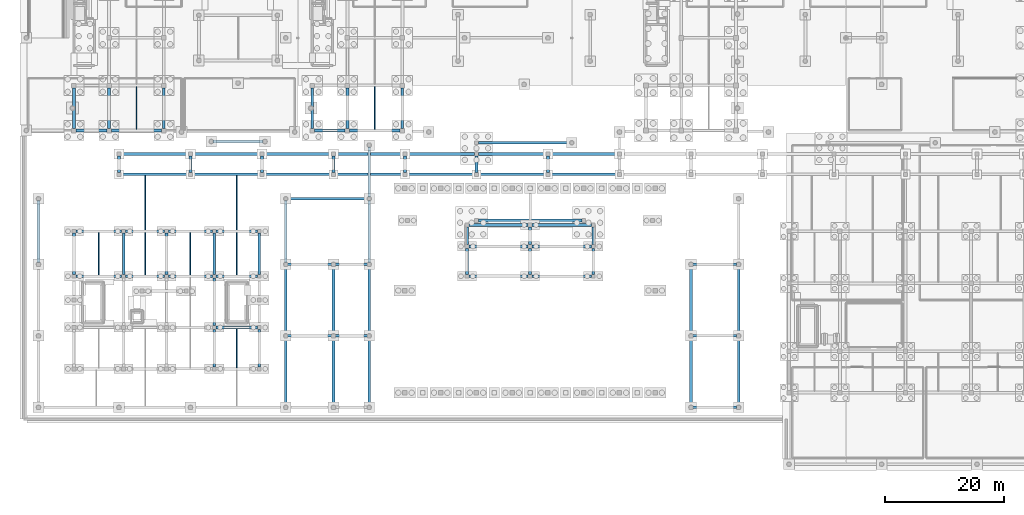
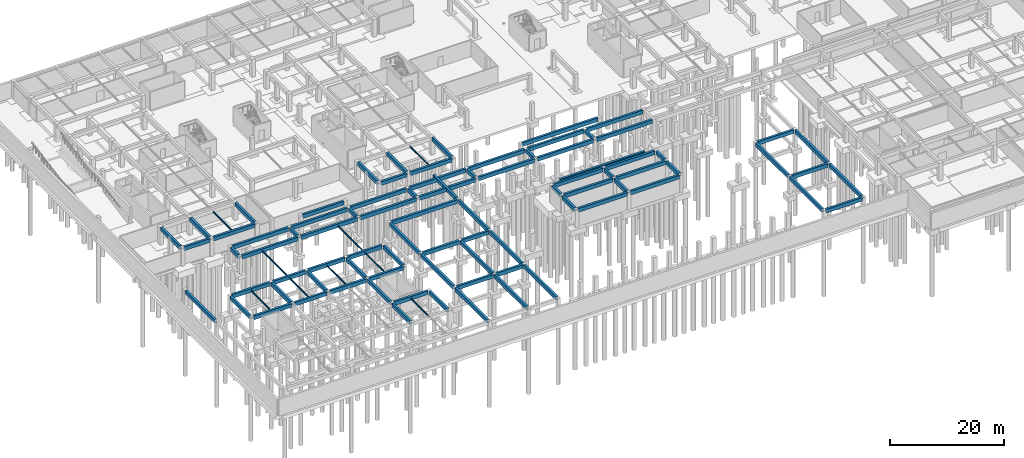
# One storey, part 14 of 35: 94 beams.
"""IFC4 building model written with IfcOpenShell, lengths in metres."""

from ifc_helpers import new_model, si_unit, direction, frame, origin, origin_2d, place, context, subcontext, project, spatial, rectangle, i_section, extrude, material, material_profile, profile_set, type_object, element, save


model = new_model("IFC4")

# Units and contexts
model_context = context("Model", 3, precision=1e-05, world=origin(), true_north=direction((0.0, 1.0)))
body_context = subcontext(model_context, "Body", "Model", "MODEL_VIEW")
ifc_project = project(units=[si_unit("LENGTHUNIT", "METRE"), si_unit("AREAUNIT", "SQUARE_METRE"), si_unit("VOLUMEUNIT", "CUBIC_METRE"), si_unit("PLANEANGLEUNIT", "RADIAN"), si_unit("MASSUNIT", "GRAM", prefix="KILO")], contexts=[model_context])

# Site, building, storey
site_placement = place(None, origin())
site = spatial("IfcSite", under=ifc_project, at=site_placement, CompositionType="ELEMENT")
building_placement = place(site_placement, origin())
building = spatial("IfcBuilding", under=site, at=building_placement, Name="Keldmere Railside Commons", CompositionType="ELEMENT")
storey_placement = place(building_placement, frame((0.0, 0.0, -3.840087890625)))
storey = spatial("IfcBuildingStorey", under=building, at=storey_placement, Name="B1", CompositionType="ELEMENT", Elevation=-3.840087890625)

# Beams
ifc_material_1 = material(Name="Concrete H-35 (C35/45)", Category="concrete")
ifc_material_profile_1 = material_profile(ifc_material_1, rectangle(XDim=0.449951171875, YDim=0.800048828125, at=origin_2d()), Name="RC-450x800")
ifc_profile_set_1 = profile_set([ifc_material_profile_1], Name="Concrete H-35 (C35/45)")
beam_type_1 = type_object("IfcBeamType", Name="Basement & Podium RC Girder 450x800", PredefinedType="BEAM", material=ifc_profile_set_1)
for number, where, z_axis, x_axis, name in (
    (1, (112.324951171875, 10.0, 3.440185546875), (1.0, 0.0, 0.0), (0.0, 1.0, 0.0), "BG-1 BM-B1-0014"),
    (2, (44.324951171875, 22.0, 3.440185546875), (1.0, 0.0, 0.0), (0.0, 1.0, 0.0), "BG-1 BM-B1-0029"),
):
    element("IfcBeam", number, at=place(storey_placement, frame(where, z_axis=z_axis, x_axis=x_axis)), inside=storey, type_object=beam_type_1, Name=name, PredefinedType="BEAM", context=body_context, shape_type="SweptSolid", body=[
        extrude(rectangle(XDim=0.449951171875, YDim=0.800048828125, at=origin_2d()), origin(), (0.0, 0.0, 1.0), 7.35009765625),
    ])
beam_1_placement = place(storey_placement, frame((52.324951171875, 22.0, 3.440185546875), z_axis=(1.0, 0.0, 0.0), x_axis=(0.0, 1.0, 0.0)))
element("IfcBeam", 3, at=beam_1_placement, inside=storey, type_object=beam_type_1, Name="BG-1 BM-B1-0030", PredefinedType="BEAM", context=body_context, shape_type="SweptSolid", body=[
    extrude(rectangle(XDim=0.449951171875, YDim=0.800048828125, at=origin_2d()), origin(), (0.0, 0.0, 1.0), 5.35009765625),
])
beam_2_placement = place(storey_placement, frame((112.324951171875, 22.0, 3.440185546875), z_axis=(1.0, 0.0, 0.0), x_axis=(0.0, 1.0, 0.0)))
element("IfcBeam", 4, at=beam_2_placement, inside=storey, type_object=beam_type_1, Name="BG-1 BM-B1-0031", PredefinedType="BEAM", context=body_context, shape_type="SweptSolid", body=[
    extrude(rectangle(XDim=0.449951171875, YDim=0.800048828125, at=origin_2d()), origin(), (0.0, 0.0, 1.0), 7.35009765625),
])
beam_3_placement = place(storey_placement, frame((32.324951171875, 23.39990234375, 3.440185546875), z_axis=(1.0, 0.0, 0.0), x_axis=(0.0, 1.0, 0.0)))
element("IfcBeam", 5, at=beam_3_placement, inside=storey, type_object=beam_type_1, Name="BG-1 BM-B1-0035", PredefinedType="BEAM", context=body_context, shape_type="SweptSolid", body=[
    extrude(rectangle(XDim=0.449951171875, YDim=0.800048828125, at=origin_2d()), origin(), (0.0, 0.0, 1.0), 6.900146484375),
])
beam_4_placement = place(storey_placement, frame((8.77490234375, 32.0, 3.440185546875), z_axis=(1.0, 0.0, 0.0), x_axis=(0.0, 1.0, 0.0)))
element("IfcBeam", 6, at=beam_4_placement, inside=storey, type_object=beam_type_1, Name="BG-1 BM-B1-0042", PredefinedType="BEAM", context=body_context, shape_type="SweptSolid", body=[
    extrude(rectangle(XDim=0.449951171875, YDim=0.800048828125, at=origin_2d()), origin(), (0.0, 0.0, 1.0), 7.7001953125),
])
beam_5_placement = place(storey_placement, frame((17.125, 32.0, 3.440185546875), z_axis=(1.0, 0.0, 0.0), x_axis=(0.0, 1.0, 0.0)))
element("IfcBeam", 7, at=beam_5_placement, inside=storey, type_object=beam_type_1, Name="BG-1 BM-B1-0043", PredefinedType="BEAM", context=body_context, shape_type="SweptSolid", body=[
    extrude(rectangle(XDim=0.449951171875, YDim=0.800048828125, at=origin_2d()), origin(), (0.0, 0.0, 1.0), 6.550048828125),
])
beam_6_placement = place(storey_placement, frame((24.324951171875, 32.0, 3.440185546875), z_axis=(1.0, 0.0, 0.0), x_axis=(0.0, 1.0, 0.0)))
element("IfcBeam", 8, at=beam_6_placement, inside=storey, type_object=beam_type_1, Name="BG-1 BM-B1-0044", PredefinedType="BEAM", context=body_context, shape_type="SweptSolid", body=[
    extrude(rectangle(XDim=0.449951171875, YDim=0.800048828125, at=origin_2d()), origin(), (0.0, 0.0, 1.0), 7.35009765625),
])
beam_7_placement = place(storey_placement, frame((32.324951171875, 32.0, 3.440185546875), z_axis=(1.0, 0.0, 0.0), x_axis=(0.0, 1.0, 0.0)))
element("IfcBeam", 9, at=beam_7_placement, inside=storey, type_object=beam_type_1, Name="BG-1 BM-B1-0045", PredefinedType="BEAM", context=body_context, shape_type="SweptSolid", body=[
    extrude(rectangle(XDim=0.449951171875, YDim=0.800048828125, at=origin_2d()), origin(), (0.0, 0.0, 1.0), 6.900146484375),
])
for number, where, z_axis, x_axis, name in (
    (10, (74.72509765625, 32.0, 3.440185546875), (1.0, 0.0, 0.0), (0.0, 1.0, 0.0), "BG-1 BM-B1-0046"),
    (11, (85.324951171875, 32.0, 3.440185546875), (1.0, 0.0, 0.0), (0.0, 1.0, 0.0), "BG-1 BM-B1-0047"),
):
    element("IfcBeam", number, at=place(storey_placement, frame(where, z_axis=z_axis, x_axis=x_axis)), inside=storey, type_object=beam_type_1, Name=name, PredefinedType="BEAM", context=body_context, shape_type="SweptSolid", body=[
        extrude(rectangle(XDim=0.449951171875, YDim=0.800048828125, at=origin_2d()), origin(), (0.0, 0.0, 1.0), 9.949951171875),
    ])
beam_8_placement = place(storey_placement, frame((44.324951171875, 34.0, 3.440185546875), z_axis=(1.0, 0.0, 0.0), x_axis=(0.0, 1.0, 0.0)))
element("IfcBeam", 12, at=beam_8_placement, inside=storey, type_object=beam_type_1, Name="BG-1 BM-B1-0048", PredefinedType="BEAM", context=body_context, shape_type="SweptSolid", body=[
    extrude(rectangle(XDim=0.449951171875, YDim=0.800048828125, at=origin_2d()), origin(), (0.0, 0.0, 1.0), 7.35009765625),
])
beam_9_placement = place(storey_placement, frame((52.324951171875, 34.0, 3.440185546875), z_axis=(1.0, 0.0, 0.0), x_axis=(0.0, 1.0, 0.0)))
element("IfcBeam", 13, at=beam_9_placement, inside=storey, type_object=beam_type_1, Name="BG-1 BM-B1-0049", PredefinedType="BEAM", context=body_context, shape_type="SweptSolid", body=[
    extrude(rectangle(XDim=0.449951171875, YDim=0.800048828125, at=origin_2d()), origin(), (0.0, 0.0, 1.0), 5.35009765625),
])
beam_10_placement = place(storey_placement, frame((112.324951171875, 34.0, 3.440185546875), z_axis=(1.0, 0.0, 0.0), x_axis=(0.0, 1.0, 0.0)))
element("IfcBeam", 14, at=beam_10_placement, inside=storey, type_object=beam_type_1, Name="BG-1 BM-B1-0050", PredefinedType="BEAM", context=body_context, shape_type="SweptSolid", body=[
    extrude(rectangle(XDim=0.449951171875, YDim=0.800048828125, at=origin_2d()), origin(), (0.0, 0.0, 1.0), 7.35009765625),
])
for number, where, z_axis, x_axis, name in (
    (15, (74.72509765625, 37.0, 3.440185546875), (1.0, 0.0, 0.0), (0.0, 1.0, 0.0), "BG-1 BM-B1-0051"),
    (16, (85.324951171875, 37.0, 3.440185546875), (1.0, 0.0, 0.0), (0.0, 1.0, 0.0), "BG-1 BM-B1-0052"),
):
    element("IfcBeam", number, at=place(storey_placement, frame(where, z_axis=z_axis, x_axis=x_axis)), inside=storey, type_object=beam_type_1, Name=name, PredefinedType="BEAM", context=body_context, shape_type="SweptSolid", body=[
        extrude(rectangle(XDim=0.449951171875, YDim=0.800048828125, at=origin_2d()), origin(), (0.0, 0.0, 1.0), 9.949951171875),
    ])
beam_11_placement = place(storey_placement, frame((8.77490234375, 39.550048828125, 3.440185546875), z_axis=(1.0, 0.0, 0.0), x_axis=(0.0, 1.0, 0.0)))
element("IfcBeam", 17, at=beam_11_placement, inside=storey, type_object=beam_type_1, Name="BG-1 BM-B1-0053", PredefinedType="BEAM", context=body_context, shape_type="SweptSolid", body=[
    extrude(rectangle(XDim=0.449951171875, YDim=0.800048828125, at=origin_2d()), origin(), (0.0, 0.0, 1.0), 7.7001953125),
])
beam_12_placement = place(storey_placement, frame((17.125, 39.550048828125, 3.440185546875), z_axis=(1.0, 0.0, 0.0), x_axis=(0.0, 1.0, 0.0)))
element("IfcBeam", 18, at=beam_12_placement, inside=storey, type_object=beam_type_1, Name="BG-1 BM-B1-0054", PredefinedType="BEAM", context=body_context, shape_type="SweptSolid", body=[
    extrude(rectangle(XDim=0.449951171875, YDim=0.800048828125, at=origin_2d()), origin(), (0.0, 0.0, 1.0), 6.550048828125),
])
beam_13_placement = place(storey_placement, frame((24.324951171875, 39.550048828125, 3.440185546875), z_axis=(1.0, 0.0, 0.0), x_axis=(0.0, 1.0, 0.0)))
element("IfcBeam", 19, at=beam_13_placement, inside=storey, type_object=beam_type_1, Name="BG-1 BM-B1-0055", PredefinedType="BEAM", context=body_context, shape_type="SweptSolid", body=[
    extrude(rectangle(XDim=0.449951171875, YDim=0.800048828125, at=origin_2d()), origin(), (0.0, 0.0, 1.0), 7.35009765625),
])
beam_14_placement = place(storey_placement, frame((32.324951171875, 39.550048828125, 3.440185546875), z_axis=(1.0, 0.0, 0.0), x_axis=(0.0, 1.0, 0.0)))
element("IfcBeam", 20, at=beam_14_placement, inside=storey, type_object=beam_type_1, Name="BG-1 BM-B1-0056", PredefinedType="BEAM", context=body_context, shape_type="SweptSolid", body=[
    extrude(rectangle(XDim=0.449951171875, YDim=0.800048828125, at=origin_2d()), origin(), (0.0, 0.0, 1.0), 6.900146484375),
])
for number, where, z_axis, x_axis, name in (
    (21, (74.72509765625, 40.60009765625, 3.440185546875), (1.0, 0.0, 0.0), (0.0, 1.0, 0.0), "BG-1 BM-B1-0062"),
    (22, (85.324951171875, 40.60009765625, 3.440185546875), (1.0, 0.0, 0.0), (0.0, 1.0, 0.0), "BG-1 BM-B1-0063"),
):
    element("IfcBeam", number, at=place(storey_placement, frame(where, z_axis=z_axis, x_axis=x_axis)), inside=storey, type_object=beam_type_1, Name=name, PredefinedType="BEAM", context=body_context, shape_type="SweptSolid", body=[
        extrude(rectangle(XDim=0.449951171875, YDim=0.800048828125, at=origin_2d()), origin(), (0.0, 0.0, 1.0), 9.949951171875),
    ])
beam_15_placement = place(storey_placement, frame((76.324951171875, 41.35009765625, 3.440185546875), z_axis=(1.0, 0.0, 0.0), x_axis=(0.0, 1.0, 0.0)))
element("IfcBeam", 23, at=beam_15_placement, inside=storey, type_object=beam_type_1, Name="BG-1 BM-B1-0064", PredefinedType="BEAM", context=body_context, shape_type="SweptSolid", body=[
    extrude(rectangle(XDim=0.449951171875, YDim=0.800048828125, at=origin_2d()), origin(), (0.0, 0.0, 1.0), 17.35009765625),
])
beam_16_placement = place(storey_placement, frame((44.324951171875, 45.0, 3.440185546875), z_axis=(1.0, 0.0, 0.0), x_axis=(0.0, 1.0, 0.0)))
element("IfcBeam", 24, at=beam_16_placement, inside=storey, type_object=beam_type_1, Name="BG-1 BM-B1-0065", PredefinedType="BEAM", context=body_context, shape_type="SweptSolid", body=[
    extrude(rectangle(XDim=0.449951171875, YDim=0.800048828125, at=origin_2d()), origin(), (0.0, 0.0, 1.0), 13.35009765625),
])
for number, where, z_axis, x_axis, name in (
    (25, (16.324951171875, 49.10009765625, 3.440185546875), (1.0, 0.0, 0.0), (0.0, 1.0, 0.0), "BG-1 BM-B1-0066"),
    (26, (28.324951171875, 49.10009765625, 3.440185546875), (1.0, 0.0, 0.0), (0.0, 1.0, 0.0), "BG-1 BM-B1-0067"),
    (27, (40.324951171875, 49.10009765625, 3.440185546875), (1.0, 0.0, 0.0), (0.0, 1.0, 0.0), "BG-1 BM-B1-0068"),
    (28, (52.324951171875, 49.10009765625, 3.440185546875), (1.0, 0.0, 0.0), (0.0, 1.0, 0.0), "BG-1 BM-B1-0069"),
    (29, (64.324951171875, 49.10009765625, 3.440185546875), (1.0, 0.0, 0.0), (0.0, 1.0, 0.0), "BG-1 BM-B1-0070"),
    (30, (76.324951171875, 49.10009765625, 3.440185546875), (1.0, 0.0, 0.0), (0.0, 1.0, 0.0), "BG-1 BM-B1-0071"),
    (31, (88.324951171875, 49.10009765625, 3.440185546875), (1.0, 0.0, 0.0), (0.0, 1.0, 0.0), "BG-1 BM-B1-0072"),
    (32, (16.324951171875, 52.5, 3.440185546875), (1.0, 0.0, 0.0), (0.0, 1.0, 0.0), "BG-1 BM-B1-0079"),
    (33, (28.324951171875, 52.5, 3.440185546875), (1.0, 0.0, 0.0), (0.0, 1.0, 0.0), "BG-1 BM-B1-0080"),
    (34, (40.324951171875, 52.5, 3.440185546875), (1.0, 0.0, 0.0), (0.0, 1.0, 0.0), "BG-1 BM-B1-0081"),
    (35, (52.324951171875, 52.5, 3.440185546875), (1.0, 0.0, 0.0), (0.0, 1.0, 0.0), "BG-1 BM-B1-0082"),
    (36, (64.324951171875, 52.5, 3.440185546875), (1.0, 0.0, 0.0), (0.0, 1.0, 0.0), "BG-1 BM-B1-0083"),
    (37, (76.324951171875, 52.5, 3.440185546875), (1.0, 0.0, 0.0), (0.0, 1.0, 0.0), "BG-1 BM-B1-0084"),
    (38, (88.324951171875, 52.5, 3.440185546875), (1.0, 0.0, 0.0), (0.0, 1.0, 0.0), "BG-1 BM-B1-0085"),
):
    element("IfcBeam", number, at=place(storey_placement, frame(where, z_axis=z_axis, x_axis=x_axis)), inside=storey, type_object=beam_type_1, Name=name, PredefinedType="BEAM", context=body_context, shape_type="SweptSolid", body=[
        extrude(rectangle(XDim=0.449951171875, YDim=0.800048828125, at=origin_2d()), origin(), (0.0, 0.0, 1.0), 11.35009765625),
    ])
beam_17_placement = place(storey_placement, frame((76.324951171875, 54.39990234375, 3.440185546875), z_axis=(1.0, 0.0, 0.0), x_axis=(0.0, 1.0, 0.0)))
element("IfcBeam", 39, at=beam_17_placement, inside=storey, type_object=beam_type_1, Name="BG-1 BM-B1-0092", PredefinedType="BEAM", context=body_context, shape_type="SweptSolid", body=[
    extrude(rectangle(XDim=0.449951171875, YDim=0.800048828125, at=origin_2d()), origin(), (0.0, 0.0, 1.0), 15.35009765625),
])
beam_18_placement = place(storey_placement, frame((31.824951171875, 54.60009765625, 3.440185546875), z_axis=(1.0, 0.0, 0.0), x_axis=(0.0, 1.0, 0.0)))
element("IfcBeam", 40, at=beam_18_placement, inside=storey, type_object=beam_type_1, Name="BG-1 BM-B1-0094", PredefinedType="BEAM", context=body_context, shape_type="SweptSolid", body=[
    extrude(rectangle(XDim=0.449951171875, YDim=0.800048828125, at=origin_2d()), origin(), (0.0, 0.0, 1.0), 8.35009765625),
])
beam_19_placement = place(storey_placement, frame((8.824951171875, 56.449951171875, 3.440185546875), z_axis=(1.0, 0.0, 0.0), x_axis=(0.0, 1.0, 0.0)))
element("IfcBeam", 41, at=beam_19_placement, inside=storey, type_object=beam_type_1, Name="BG-1 BM-B1-0095", PredefinedType="BEAM", context=body_context, shape_type="SweptSolid", body=[
    extrude(rectangle(XDim=0.449951171875, YDim=0.800048828125, at=origin_2d()), origin(), (0.0, 0.0, 1.0), 5.150146484375),
])
beam_20_placement = place(storey_placement, frame((14.72509765625, 56.449951171875, 3.440185546875), z_axis=(1.0, 0.0, 0.0), x_axis=(0.0, 1.0, 0.0)))
element("IfcBeam", 42, at=beam_20_placement, inside=storey, type_object=beam_type_1, Name="BG-1 BM-B1-0096", PredefinedType="BEAM", context=body_context, shape_type="SweptSolid", body=[
    extrude(rectangle(XDim=0.449951171875, YDim=0.800048828125, at=origin_2d()), origin(), (0.0, 0.0, 1.0), 8.449951171875),
])
beam_21_placement = place(storey_placement, frame((48.824951171875, 56.449951171875, 3.440185546875), z_axis=(1.0, 0.0, 0.0), x_axis=(0.0, 1.0, 0.0)))
element("IfcBeam", 43, at=beam_21_placement, inside=storey, type_object=beam_type_1, Name="BG-1 BM-B1-0097", PredefinedType="BEAM", context=body_context, shape_type="SweptSolid", body=[
    extrude(rectangle(XDim=0.449951171875, YDim=0.800048828125, at=origin_2d()), origin(), (0.0, 0.0, 1.0), 5.150146484375),
])
beam_22_placement = place(storey_placement, frame((54.72509765625, 56.449951171875, 3.440185546875), z_axis=(1.0, 0.0, 0.0), x_axis=(0.0, 1.0, 0.0)))
element("IfcBeam", 44, at=beam_22_placement, inside=storey, type_object=beam_type_1, Name="BG-1 BM-B1-0098", PredefinedType="BEAM", context=body_context, shape_type="SweptSolid", body=[
    extrude(rectangle(XDim=0.449951171875, YDim=0.800048828125, at=origin_2d()), origin(), (0.0, 0.0, 1.0), 8.449951171875),
])
beam_23_placement = place(storey_placement, frame((2.5, 34.324951171875, 3.440185546875), z_axis=(0.0, 1.0, 0.0), x_axis=(-1.0, 0.0, 0.0)))
element("IfcBeam", 45, at=beam_23_placement, inside=storey, type_object=beam_type_1, Name="BG-1 BM-B1-0184", PredefinedType="BEAM", context=body_context, shape_type="SweptSolid", body=[
    extrude(rectangle(XDim=0.449951171875, YDim=0.800048828125, at=origin_2d()), origin(), (0.0, 0.0, 1.0), 10.35009765625),
])
beam_24_placement = place(storey_placement, frame((8.449951171875, 32.324951171875, 3.440185546875), z_axis=(0.0, 1.0, 0.0), x_axis=(-1.0, 0.0, 0.0)))
element("IfcBeam", 46, at=beam_24_placement, inside=storey, type_object=beam_type_1, Name="BG-1 BM-B1-0186", PredefinedType="BEAM", context=body_context, shape_type="SweptSolid", body=[
    extrude(rectangle(XDim=0.449951171875, YDim=0.800048828125, at=origin_2d()), origin(), (0.0, 0.0, 1.0), 6.900146484375),
])
for number, where, z_axis, x_axis, name in (
    (47, (8.449951171875, 56.824951171875, 3.440185546875), (0.0, 1.0, 0.0), (-1.0, 0.0, 0.0), "BG-1 BM-B1-0187"),
    (48, (14.35009765625, 56.824951171875, 3.440185546875), (0.0, 1.0, 0.0), (-1.0, 0.0, 0.0), "BG-1 BM-B1-0192"),
):
    element("IfcBeam", number, at=place(storey_placement, frame(where, z_axis=z_axis, x_axis=x_axis)), inside=storey, type_object=beam_type_1, Name=name, PredefinedType="BEAM", context=body_context, shape_type="SweptSolid", body=[
        extrude(rectangle(XDim=0.449951171875, YDim=0.800048828125, at=origin_2d()), origin(), (0.0, 0.0, 1.0), 6.800048828125),
    ])
beam_25_placement = place(storey_placement, frame((16.0, 49.425048828125, 3.440185546875), z_axis=(0.0, 1.0, 0.0), x_axis=(-1.0, 0.0, 0.0)))
element("IfcBeam", 49, at=beam_25_placement, inside=storey, type_object=beam_type_1, Name="BG-1 BM-B1-0197", PredefinedType="BEAM", context=body_context, shape_type="SweptSolid", body=[
    extrude(rectangle(XDim=0.449951171875, YDim=0.800048828125, at=origin_2d()), origin(), (0.0, 0.0, 1.0), 2.75),
])
beam_26_placement = place(storey_placement, frame((16.800048828125, 32.324951171875, 3.440185546875), z_axis=(0.0, 1.0, 0.0), x_axis=(-1.0, 0.0, 0.0)))
element("IfcBeam", 50, at=beam_26_placement, inside=storey, type_object=beam_type_1, Name="BG-1 BM-B1-0200", PredefinedType="BEAM", context=body_context, shape_type="SweptSolid", body=[
    extrude(rectangle(XDim=0.449951171875, YDim=0.800048828125, at=origin_2d()), origin(), (0.0, 0.0, 1.0), 6.900146484375),
])
beam_27_placement = place(storey_placement, frame((23.550048828125, 56.824951171875, 3.440185546875), z_axis=(0.0, 1.0, 0.0), x_axis=(-1.0, 0.0, 0.0)))
element("IfcBeam", 51, at=beam_27_placement, inside=storey, type_object=beam_type_1, Name="BG-1 BM-B1-0202", PredefinedType="BEAM", context=body_context, shape_type="SweptSolid", body=[
    extrude(rectangle(XDim=0.449951171875, YDim=0.800048828125, at=origin_2d()), origin(), (0.0, 0.0, 1.0), 6.800048828125),
])
beam_28_placement = place(storey_placement, frame((24.0, 32.324951171875, 3.440185546875), z_axis=(0.0, 1.0, 0.0), x_axis=(-1.0, 0.0, 0.0)))
element("IfcBeam", 52, at=beam_28_placement, inside=storey, type_object=beam_type_1, Name="BG-1 BM-B1-0209", PredefinedType="BEAM", context=body_context, shape_type="SweptSolid", body=[
    extrude(rectangle(XDim=0.449951171875, YDim=0.800048828125, at=origin_2d()), origin(), (0.0, 0.0, 1.0), 6.900146484375),
])
beam_29_placement = place(storey_placement, frame((28.0, 49.425048828125, 3.440185546875), z_axis=(0.0, 1.0, 0.0), x_axis=(-1.0, 0.0, 0.0)))
element("IfcBeam", 53, at=beam_29_placement, inside=storey, type_object=beam_type_1, Name="BG-1 BM-B1-0212", PredefinedType="BEAM", context=body_context, shape_type="SweptSolid", body=[
    extrude(rectangle(XDim=0.449951171875, YDim=0.800048828125, at=origin_2d()), origin(), (0.0, 0.0, 1.0), 2.75),
])
beam_30_placement = place(storey_placement, frame((32.0, 16.77490234375, 3.440185546875), z_axis=(0.0, 1.0, 0.0), x_axis=(-1.0, 0.0, 0.0)))
element("IfcBeam", 54, at=beam_30_placement, inside=storey, type_object=beam_type_1, Name="BG-1 BM-B1-0214", PredefinedType="BEAM", context=body_context, shape_type="SweptSolid", body=[
    extrude(rectangle(XDim=0.449951171875, YDim=0.800048828125, at=origin_2d()), origin(), (0.0, 0.0, 1.0), 6.300048828125),
])
beam_31_placement = place(storey_placement, frame((32.0, 23.72509765625, 3.440185546875), z_axis=(0.0, 1.0, 0.0), x_axis=(-1.0, 0.0, 0.0)))
element("IfcBeam", 55, at=beam_31_placement, inside=storey, type_object=beam_type_1, Name="BG-1 BM-B1-0215", PredefinedType="BEAM", context=body_context, shape_type="SweptSolid", body=[
    extrude(rectangle(XDim=0.449951171875, YDim=0.800048828125, at=origin_2d()), origin(), (0.0, 0.0, 1.0), 7.949951171875),
])
beam_32_placement = place(storey_placement, frame((32.0, 32.324951171875, 3.440185546875), z_axis=(0.0, 1.0, 0.0), x_axis=(-1.0, 0.0, 0.0)))
element("IfcBeam", 56, at=beam_32_placement, inside=storey, type_object=beam_type_1, Name="BG-1 BM-B1-0216", PredefinedType="BEAM", context=body_context, shape_type="SweptSolid", body=[
    extrude(rectangle(XDim=0.449951171875, YDim=0.800048828125, at=origin_2d()), origin(), (0.0, 0.0, 1.0), 6.900146484375),
])
beam_33_placement = place(storey_placement, frame((39.550048828125, 16.77490234375, 3.440185546875), z_axis=(0.0, 1.0, 0.0), x_axis=(-1.0, 0.0, 0.0)))
element("IfcBeam", 57, at=beam_33_placement, inside=storey, type_object=beam_type_1, Name="BG-1 BM-B1-0218", PredefinedType="BEAM", context=body_context, shape_type="SweptSolid", body=[
    extrude(rectangle(XDim=0.449951171875, YDim=0.800048828125, at=origin_2d()), origin(), (0.0, 0.0, 1.0), 6.300048828125),
])
beam_34_placement = place(storey_placement, frame((39.550048828125, 32.324951171875, 3.440185546875), z_axis=(0.0, 1.0, 0.0), x_axis=(-1.0, 0.0, 0.0)))
element("IfcBeam", 58, at=beam_34_placement, inside=storey, type_object=beam_type_1, Name="BG-1 BM-B1-0219", PredefinedType="BEAM", context=body_context, shape_type="SweptSolid", body=[
    extrude(rectangle(XDim=0.449951171875, YDim=0.800048828125, at=origin_2d()), origin(), (0.0, 0.0, 1.0), 6.900146484375),
])
beam_35_placement = place(storey_placement, frame((40.0, 49.425048828125, 3.440185546875), z_axis=(0.0, 1.0, 0.0), x_axis=(-1.0, 0.0, 0.0)))
element("IfcBeam", 59, at=beam_35_placement, inside=storey, type_object=beam_type_1, Name="BG-1 BM-B1-0220", PredefinedType="BEAM", context=body_context, shape_type="SweptSolid", body=[
    extrude(rectangle(XDim=0.449951171875, YDim=0.800048828125, at=origin_2d()), origin(), (0.0, 0.0, 1.0), 2.75),
])
for number, where, z_axis, x_axis, name in (
    (60, (44.0, 10.324951171875, 3.440185546875), (0.0, 1.0, 0.0), (-1.0, 0.0, 0.0), "BG-1 BM-B1-0224"),
    (61, (44.0, 22.324951171875, 3.440185546875), (0.0, 1.0, 0.0), (-1.0, 0.0, 0.0), "BG-1 BM-B1-0225"),
):
    element("IfcBeam", number, at=place(storey_placement, frame(where, z_axis=z_axis, x_axis=x_axis)), inside=storey, type_object=beam_type_1, Name=name, PredefinedType="BEAM", context=body_context, shape_type="SweptSolid", body=[
        extrude(rectangle(XDim=0.449951171875, YDim=0.800048828125, at=origin_2d()), origin(), (0.0, 0.0, 1.0), 11.35009765625),
    ])
beam_36_placement = place(storey_placement, frame((44.0, 34.324951171875, 3.440185546875), z_axis=(0.0, 1.0, 0.0), x_axis=(-1.0, 0.0, 0.0)))
element("IfcBeam", 62, at=beam_36_placement, inside=storey, type_object=beam_type_1, Name="BG-1 BM-B1-0226", PredefinedType="BEAM", context=body_context, shape_type="SweptSolid", body=[
    extrude(rectangle(XDim=0.449951171875, YDim=0.800048828125, at=origin_2d()), origin(), (0.0, 0.0, 1.0), 10.35009765625),
])
beam_37_placement = place(storey_placement, frame((48.449951171875, 56.824951171875, 3.440185546875), z_axis=(0.0, 1.0, 0.0), x_axis=(-1.0, 0.0, 0.0)))
element("IfcBeam", 63, at=beam_37_placement, inside=storey, type_object=beam_type_1, Name="BG-1 BM-B1-0229", PredefinedType="BEAM", context=body_context, shape_type="SweptSolid", body=[
    extrude(rectangle(XDim=0.449951171875, YDim=0.800048828125, at=origin_2d()), origin(), (0.0, 0.0, 1.0), 6.800048828125),
])
for number, where, z_axis, x_axis, name in (
    (64, (52.0, 10.324951171875, 3.440185546875), (0.0, 1.0, 0.0), (-1.0, 0.0, 0.0), "BG-1 BM-B1-0231"),
    (65, (52.0, 22.324951171875, 3.440185546875), (0.0, 1.0, 0.0), (-1.0, 0.0, 0.0), "BG-1 BM-B1-0232"),
):
    element("IfcBeam", number, at=place(storey_placement, frame(where, z_axis=z_axis, x_axis=x_axis)), inside=storey, type_object=beam_type_1, Name=name, PredefinedType="BEAM", context=body_context, shape_type="SweptSolid", body=[
        extrude(rectangle(XDim=0.449951171875, YDim=0.800048828125, at=origin_2d()), origin(), (0.0, 0.0, 1.0), 11.35009765625),
    ])
beam_38_placement = place(storey_placement, frame((52.0, 49.425048828125, 3.440185546875), z_axis=(0.0, 1.0, 0.0), x_axis=(-1.0, 0.0, 0.0)))
element("IfcBeam", 66, at=beam_38_placement, inside=storey, type_object=beam_type_1, Name="BG-1 BM-B1-0233", PredefinedType="BEAM", context=body_context, shape_type="SweptSolid", body=[
    extrude(rectangle(XDim=0.449951171875, YDim=0.800048828125, at=origin_2d()), origin(), (0.0, 0.0, 1.0), 2.75),
])
beam_39_placement = place(storey_placement, frame((54.35009765625, 56.824951171875, 3.440185546875), z_axis=(0.0, 1.0, 0.0), x_axis=(-1.0, 0.0, 0.0)))
element("IfcBeam", 67, at=beam_39_placement, inside=storey, type_object=beam_type_1, Name="BG-1 BM-B1-0234", PredefinedType="BEAM", context=body_context, shape_type="SweptSolid", body=[
    extrude(rectangle(XDim=0.449951171875, YDim=0.800048828125, at=origin_2d()), origin(), (0.0, 0.0, 1.0), 6.800048828125),
])
for number, where, z_axis, x_axis, name in (
    (68, (58.0, 10.324951171875, 3.440185546875), (0.0, 1.0, 0.0), (-1.0, 0.0, 0.0), "BG-1 BM-B1-0240"),
    (69, (58.0, 22.324951171875, 3.440185546875), (0.0, 1.0, 0.0), (-1.0, 0.0, 0.0), "BG-1 BM-B1-0241"),
):
    element("IfcBeam", number, at=place(storey_placement, frame(where, z_axis=z_axis, x_axis=x_axis)), inside=storey, type_object=beam_type_1, Name=name, PredefinedType="BEAM", context=body_context, shape_type="SweptSolid", body=[
        extrude(rectangle(XDim=0.449951171875, YDim=0.800048828125, at=origin_2d()), origin(), (0.0, 0.0, 1.0), 11.35009765625),
    ])
beam_40_placement = place(storey_placement, frame((58.0, 34.324951171875, 3.440185546875), z_axis=(0.0, 1.0, 0.0), x_axis=(-1.0, 0.0, 0.0)))
element("IfcBeam", 70, at=beam_40_placement, inside=storey, type_object=beam_type_1, Name="BG-1 BM-B1-0242", PredefinedType="BEAM", context=body_context, shape_type="SweptSolid", body=[
    extrude(rectangle(XDim=0.449951171875, YDim=0.800048828125, at=origin_2d()), origin(), (0.0, 0.0, 1.0), 10.35009765625),
])
beam_41_placement = place(storey_placement, frame((58.0, 45.324951171875, 3.440185546875), z_axis=(0.0, 1.0, 0.0), x_axis=(-1.0, 0.0, 0.0)))
element("IfcBeam", 71, at=beam_41_placement, inside=storey, type_object=beam_type_1, Name="BG-1 BM-B1-0243", PredefinedType="BEAM", context=body_context, shape_type="SweptSolid", body=[
    extrude(rectangle(XDim=0.449951171875, YDim=0.800048828125, at=origin_2d()), origin(), (0.0, 0.0, 1.0), 8.35009765625),
])
beam_42_placement = place(storey_placement, frame((63.550048828125, 56.824951171875, 3.440185546875), z_axis=(0.0, 1.0, 0.0), x_axis=(-1.0, 0.0, 0.0)))
element("IfcBeam", 72, at=beam_42_placement, inside=storey, type_object=beam_type_1, Name="BG-1 BM-B1-0244", PredefinedType="BEAM", context=body_context, shape_type="SweptSolid", body=[
    extrude(rectangle(XDim=0.449951171875, YDim=0.800048828125, at=origin_2d()), origin(), (0.0, 0.0, 1.0), 6.800048828125),
])
beam_43_placement = place(storey_placement, frame((64.0, 49.425048828125, 3.440185546875), z_axis=(0.0, 1.0, 0.0), x_axis=(-1.0, 0.0, 0.0)))
element("IfcBeam", 73, at=beam_43_placement, inside=storey, type_object=beam_type_1, Name="BG-1 BM-B1-0249", PredefinedType="BEAM", context=body_context, shape_type="SweptSolid", body=[
    extrude(rectangle(XDim=0.449951171875, YDim=0.800048828125, at=origin_2d()), origin(), (0.0, 0.0, 1.0), 2.75),
])
beam_44_placement = place(storey_placement, frame((74.39990234375, 32.324951171875, 3.440185546875), z_axis=(0.0, 1.0, 0.0), x_axis=(-1.0, 0.0, 0.0)))
element("IfcBeam", 74, at=beam_44_placement, inside=storey, type_object=beam_type_1, Name="BG-1 BM-B1-0255", PredefinedType="BEAM", context=body_context, shape_type="SweptSolid", body=[
    extrude(rectangle(XDim=0.449951171875, YDim=0.800048828125, at=origin_2d()), origin(), (0.0, 0.0, 1.0), 4.35009765625),
])
beam_45_placement = place(storey_placement, frame((74.39990234375, 37.324951171875, 3.440185546875), z_axis=(0.0, 1.0, 0.0), x_axis=(-1.0, 0.0, 0.0)))
element("IfcBeam", 75, at=beam_45_placement, inside=storey, type_object=beam_type_1, Name="BG-1 BM-B1-0256", PredefinedType="BEAM", context=body_context, shape_type="SweptSolid", body=[
    extrude(rectangle(XDim=0.449951171875, YDim=0.800048828125, at=origin_2d()), origin(), (0.0, 0.0, 1.0), 2.949951171875),
])
beam_46_placement = place(storey_placement, frame((76.0, 49.425048828125, 3.440185546875), z_axis=(0.0, 1.0, 0.0), x_axis=(-1.0, 0.0, 0.0)))
element("IfcBeam", 76, at=beam_46_placement, inside=storey, type_object=beam_type_1, Name="BG-1 BM-B1-0257", PredefinedType="BEAM", context=body_context, shape_type="SweptSolid", body=[
    extrude(rectangle(XDim=0.449951171875, YDim=0.800048828125, at=origin_2d()), origin(), (0.0, 0.0, 1.0), 2.75),
])
beam_47_placement = place(storey_placement, frame((85.0, 32.324951171875, 3.440185546875), z_axis=(0.0, 1.0, 0.0), x_axis=(-1.0, 0.0, 0.0)))
element("IfcBeam", 77, at=beam_47_placement, inside=storey, type_object=beam_type_1, Name="BG-1 BM-B1-0259", PredefinedType="BEAM", context=body_context, shape_type="SweptSolid", body=[
    extrude(rectangle(XDim=0.449951171875, YDim=0.800048828125, at=origin_2d()), origin(), (0.0, 0.0, 1.0), 4.35009765625),
])
beam_48_placement = place(storey_placement, frame((85.0, 37.324951171875, 3.440185546875), z_axis=(0.0, 1.0, 0.0), x_axis=(-1.0, 0.0, 0.0)))
element("IfcBeam", 78, at=beam_48_placement, inside=storey, type_object=beam_type_1, Name="BG-1 BM-B1-0260", PredefinedType="BEAM", context=body_context, shape_type="SweptSolid", body=[
    extrude(rectangle(XDim=0.449951171875, YDim=0.800048828125, at=origin_2d()), origin(), (0.0, 0.0, 1.0), 2.949951171875),
])
beam_49_placement = place(storey_placement, frame((88.0, 49.425048828125, 3.440185546875), z_axis=(0.0, 1.0, 0.0), x_axis=(-1.0, 0.0, 0.0)))
element("IfcBeam", 79, at=beam_49_placement, inside=storey, type_object=beam_type_1, Name="BG-1 BM-B1-0261", PredefinedType="BEAM", context=body_context, shape_type="SweptSolid", body=[
    extrude(rectangle(XDim=0.449951171875, YDim=0.800048828125, at=origin_2d()), origin(), (0.0, 0.0, 1.0), 2.75),
])
beam_50_placement = place(storey_placement, frame((95.60009765625, 32.324951171875, 3.440185546875), z_axis=(0.0, 1.0, 0.0), x_axis=(-1.0, 0.0, 0.0)))
element("IfcBeam", 80, at=beam_50_placement, inside=storey, type_object=beam_type_1, Name="BG-1 BM-B1-0266", PredefinedType="BEAM", context=body_context, shape_type="SweptSolid", body=[
    extrude(rectangle(XDim=0.449951171875, YDim=0.800048828125, at=origin_2d()), origin(), (0.0, 0.0, 1.0), 4.35009765625),
])
beam_51_placement = place(storey_placement, frame((95.60009765625, 37.324951171875, 3.440185546875), z_axis=(0.0, 1.0, 0.0), x_axis=(-1.0, 0.0, 0.0)))
element("IfcBeam", 81, at=beam_51_placement, inside=storey, type_object=beam_type_1, Name="BG-1 BM-B1-0267", PredefinedType="BEAM", context=body_context, shape_type="SweptSolid", body=[
    extrude(rectangle(XDim=0.449951171875, YDim=0.800048828125, at=origin_2d()), origin(), (0.0, 0.0, 1.0), 2.949951171875),
])
for number, where, z_axis, x_axis, name in (
    (82, (112.0, 10.324951171875, 3.440185546875), (0.0, 1.0, 0.0), (-1.0, 0.0, 0.0), "BG-1 BM-B1-0279"),
    (83, (112.0, 22.324951171875, 3.440185546875), (0.0, 1.0, 0.0), (-1.0, 0.0, 0.0), "BG-1 BM-B1-0280"),
    (84, (120.0, 10.324951171875, 3.440185546875), (0.0, 1.0, 0.0), (-1.0, 0.0, 0.0), "BG-1 BM-B1-0289"),
    (85, (120.0, 22.324951171875, 3.440185546875), (0.0, 1.0, 0.0), (-1.0, 0.0, 0.0), "BG-1 BM-B1-0290"),
):
    element("IfcBeam", number, at=place(storey_placement, frame(where, z_axis=z_axis, x_axis=x_axis)), inside=storey, type_object=beam_type_1, Name=name, PredefinedType="BEAM", context=body_context, shape_type="SweptSolid", body=[
        extrude(rectangle(XDim=0.449951171875, YDim=0.800048828125, at=origin_2d()), origin(), (0.0, 0.0, 1.0), 11.35009765625),
    ])
ifc_material_2 = material(Name="Steel F-36 (S355)", Category="steel")
ifc_material_profile_2 = material_profile(ifc_material_2, i_section(OverallWidth=0.14990234375, OverallDepth=0.300048828125, WebThickness=0.007080078125, FlangeThickness=0.0107421875, at=origin_2d()), Name="IPE-300")
ifc_profile_set_2 = profile_set([ifc_material_profile_2], Name="Steel F-36 (S355)")
beam_type_2 = type_object("IfcBeamType", Name="Podium & Arcade Steel Joist IPE300", PredefinedType="JOIST", material=ifc_profile_set_2)
beam_52_placement = place(storey_placement, frame((35.77490234375, 16.675048828125, 3.3701171875), z_axis=(0.0, 1.0, 0.0), x_axis=(-1.0, 0.0, 0.0)))
element("IfcBeam", 86, at=beam_52_placement, inside=storey, type_object=beam_type_2, Name="JST-1 BM-B1-0357", PredefinedType="JOIST", context=body_context, shape_type="SweptSolid", body=[
    extrude(i_section(OverallWidth=0.14990234375, OverallDepth=0.300048828125, WebThickness=0.007080078125, FlangeThickness=0.0107421875, at=origin_2d()), origin(), (0.0, 0.0, 1.0), 6.5),
])
for number, where, z_axis, x_axis, name in (
    (87, (12.625, 32.22509765625, 3.3701171875), (0.0, 1.0, 0.0), (-1.0, 0.0, 0.0), "JST-1 BM-B1-0364"),
    (88, (20.39990234375, 32.22509765625, 3.3701171875), (0.0, 1.0, 0.0), (-1.0, 0.0, 0.0), "JST-1 BM-B1-0365"),
    (89, (28.0, 32.22509765625, 3.3701171875), (0.0, 1.0, 0.0), (-1.0, 0.0, 0.0), "JST-1 BM-B1-0366"),
    (90, (35.77490234375, 32.22509765625, 3.3701171875), (0.0, 1.0, 0.0), (-1.0, 0.0, 0.0), "JST-1 BM-B1-0367"),
):
    element("IfcBeam", number, at=place(storey_placement, frame(where, z_axis=z_axis, x_axis=x_axis)), inside=storey, type_object=beam_type_2, Name=name, PredefinedType="JOIST", context=body_context, shape_type="SweptSolid", body=[
        extrude(i_section(OverallWidth=0.14990234375, OverallDepth=0.300048828125, WebThickness=0.007080078125, FlangeThickness=0.0107421875, at=origin_2d()), origin(), (0.0, 0.0, 1.0), 7.099853515625),
    ])
for number, where, z_axis, x_axis, name in (
    (91, (20.39990234375, 39.77490234375, 3.3701171875), (0.0, 1.0, 0.0), (-1.0, 0.0, 0.0), "JST-1 BM-B1-0368"),
    (92, (35.77490234375, 39.77490234375, 3.3701171875), (0.0, 1.0, 0.0), (-1.0, 0.0, 0.0), "JST-1 BM-B1-0369"),
):
    element("IfcBeam", number, at=place(storey_placement, frame(where, z_axis=z_axis, x_axis=x_axis)), inside=storey, type_object=beam_type_2, Name=name, PredefinedType="JOIST", context=body_context, shape_type="SweptSolid", body=[
        extrude(i_section(OverallWidth=0.14990234375, OverallDepth=0.300048828125, WebThickness=0.007080078125, FlangeThickness=0.0107421875, at=origin_2d()), origin(), (0.0, 0.0, 1.0), 9.10009765625),
    ])
for number, where, z_axis, x_axis, name in (
    (93, (18.949951171875, 56.675048828125, 3.3701171875), (0.0, 1.0, 0.0), (-1.0, 0.0, 0.0), "JST-1 BM-B1-0374"),
    (94, (58.949951171875, 56.675048828125, 3.3701171875), (0.0, 1.0, 0.0), (-1.0, 0.0, 0.0), "JST-1 BM-B1-0375"),
):
    element("IfcBeam", number, at=place(storey_placement, frame(where, z_axis=z_axis, x_axis=x_axis)), inside=storey, type_object=beam_type_2, Name=name, PredefinedType="JOIST", context=body_context, shape_type="SweptSolid", body=[
        extrude(i_section(OverallWidth=0.14990234375, OverallDepth=0.300048828125, WebThickness=0.007080078125, FlangeThickness=0.0107421875, at=origin_2d()), origin(), (0.0, 0.0, 1.0), 7.099853515625),
    ])

save(model, "model.ifc")
